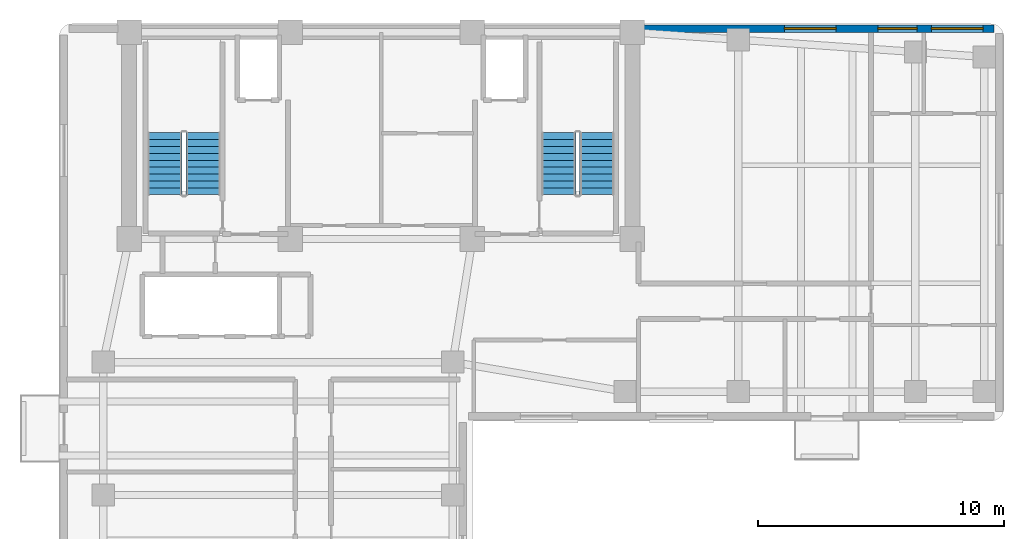
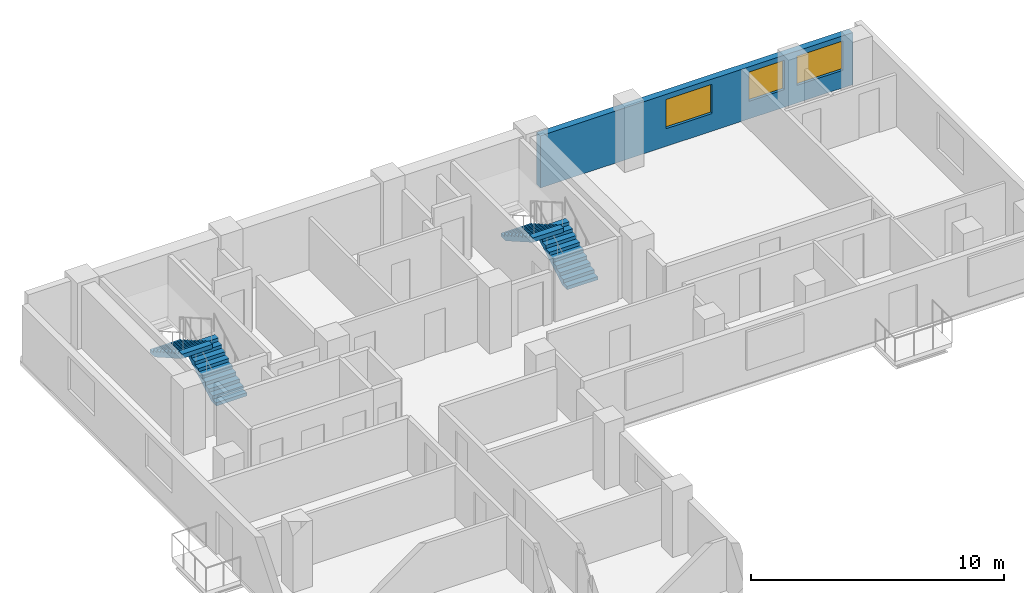
# One storey, part 5 of 7: 4 stair flights, 3 windows, 1 wall, 3 openings, 2 elements without a shape of their own.
"""IFC4 building model written with IfcOpenShell, lengths in metres."""

from ifc_helpers import new_model, si_unit, direction, frame, frame_2d, origin, place, context, subcontext, project, spatial, polyline, rectangle, outline, extrude, material, layer, layer_set, type_object, element, fill, aggregate, save


model = new_model("IFC4")

# Units and contexts
model_context = context("Model", 3, precision=1e-05, world=origin(), true_north=direction((0.0, 1.0)))
body_context = subcontext(model_context, "Body", "Model", "MODEL_VIEW")
ifc_project = project(units=[si_unit("LENGTHUNIT", "METRE"), si_unit("AREAUNIT", "SQUARE_METRE"), si_unit("VOLUMEUNIT", "CUBIC_METRE"), si_unit("PLANEANGLEUNIT", "RADIAN"), si_unit("MASSUNIT", "GRAM", prefix="KILO")], contexts=[model_context])

# Site, building, storey
site_placement = place(None, origin())
site = spatial("IfcSite", under=ifc_project, at=site_placement, CompositionType="ELEMENT")
building_placement = place(site_placement, origin())
building = spatial("IfcBuilding", under=site, at=building_placement, Name="Kuzgunbayir Cultural Tower", CompositionType="ELEMENT")
storey_placement = place(building_placement, frame((0.0, 0.0, 188.800048828125)))
storey = spatial("IfcBuildingStorey", under=building, at=storey_placement, Name="L55", CompositionType="ELEMENT", Elevation=188.800048828125)

# Wall, openings, windows
ifc_material_1 = material(Name="Anatolian Cream Limestone", Category="masonry")
ifc_layer = layer(ifc_material_1, 0.300048828125)
ifc_layer_set = layer_set([ifc_layer], Name="Anatolian Cream Limestone")
wall_type = type_object("IfcWallType", Name="WAL-EXT-STONE-300", PredefinedType="STANDARD", material=ifc_layer_set)
wall_placement = place(storey_placement, frame((41.60009765625, 42.35009765625, 0.0), z_axis=(0.0, 0.0, 1.0), x_axis=(-1.0, 0.0, 0.0)))
wall = element("IfcWall", 1, at=wall_placement, inside=storey, type_object=wall_type, Name="L55 North Wing B Limestone Wall", PredefinedType="STANDARD", context=body_context, shape_type="SweptSolid", body=[
    extrude(rectangle(XDim=14.25, YDim=0.300048828125, at=frame_2d((7.125, 0.0))), origin(), (0.0, 0.0, 1.0), 2.510009765625),
])
opening_1_placement = place(wall_placement, frame((3.1298828125, 0.0, 0.85009765625)))
opening_1 = element("IfcOpeningElement", 2, at=opening_1_placement, cuts=wall, Name="Opening WC-16", PredefinedType="OPENING", context=body_context, shape_type="SweptSolid", body=[
    extrude(rectangle(XDim=1.60009765625, YDim=1.409912109375, at=frame_2d((0.800048828125, 0.705078125))), frame((0.0, 0.16015625, 0.0), z_axis=(0.0, -1.0, 0.0), x_axis=(1.0, 0.0, 0.0)), (0.0, 0.0, 1.0), 0.320068359375),
])
opening_2_placement = place(wall_placement, frame((0.449951171875, 0.0, 0.85009765625)))
opening_2 = element("IfcOpeningElement", 3, at=opening_2_placement, cuts=wall, Name="Opening WR-21", PredefinedType="OPENING", context=body_context, shape_type="SweptSolid", body=[
    extrude(rectangle(XDim=2.10009765625, YDim=1.409912109375, at=frame_2d((1.050048828125, 0.705078125))), frame((0.0, 0.16015625, 0.0), z_axis=(0.0, -1.0, 0.0), x_axis=(1.0, 0.0, 0.0)), (0.0, 0.0, 1.0), 0.320068359375),
])
opening_3_placement = place(wall_placement, frame((6.419921875, 0.0, 0.85009765625)))
opening_3 = element("IfcOpeningElement", 4, at=opening_3_placement, cuts=wall, Name="Opening WR-21", PredefinedType="OPENING", context=body_context, shape_type="SweptSolid", body=[
    extrude(rectangle(XDim=2.10009765625, YDim=1.409912109375, at=frame_2d((1.050048828125, 0.705078125))), frame((0.0, 0.16015625, 0.0), z_axis=(0.0, -1.0, 0.0), x_axis=(1.0, 0.0, 0.0)), (0.0, 0.0, 1.0), 0.320068359375),
])
ifc_material_2 = material(Name="Solar-Control Triple Glazing", Category="glass")
window_type_1 = type_object("IfcWindowType", Name="WIN-COMP-16", PartitioningType="SINGLE_PANEL", PredefinedType="WINDOW", material=ifc_material_2)
window_1_placement = place(opening_1_placement, origin())
window_1 = element("IfcWindow", 5, at=window_1_placement, inside=storey, type_object=window_type_1, Name="L55 CRN Facade Window 7", OverallHeight=1.409912109375, OverallWidth=1.60009765625, PartitioningType="SINGLE_PANEL", PredefinedType="WINDOW", context=body_context, shape_type="SweptSolid", body=[
    extrude(rectangle(XDim=1.60009765625, YDim=1.409912109375, at=frame_2d((0.800048828125, 0.705078125))), frame((0.0, 0.030029296875, 0.0), z_axis=(0.0, -1.0, 0.0), x_axis=(1.0, 0.0, 0.0)), (0.0, 0.0, 1.0), 0.06005859375),
])
fill(opening_1, window_1)
window_type_2 = type_object("IfcWindowType", Name="WIN-RESID-21", PartitioningType="SINGLE_PANEL", PredefinedType="WINDOW", material=ifc_material_2)
window_2_placement = place(opening_2_placement, origin())
window_2 = element("IfcWindow", 6, at=window_2_placement, inside=storey, type_object=window_type_2, Name="L55 CRN Facade Window 8", OverallHeight=1.409912109375, OverallWidth=2.10009765625, PartitioningType="SINGLE_PANEL", PredefinedType="WINDOW", context=body_context, shape_type="SweptSolid", body=[
    extrude(rectangle(XDim=2.10009765625, YDim=1.409912109375, at=frame_2d((1.050048828125, 0.705078125))), frame((0.0, 0.030029296875, 0.0), z_axis=(0.0, -1.0, 0.0), x_axis=(1.0, 0.0, 0.0)), (0.0, 0.0, 1.0), 0.06005859375),
])
fill(opening_2, window_2)
window_3_placement = place(opening_3_placement, origin())
window_3 = element("IfcWindow", 7, at=window_3_placement, inside=storey, type_object=window_type_2, Name="L55 CRN Facade Window 9", OverallHeight=1.409912109375, OverallWidth=2.10009765625, PartitioningType="SINGLE_PANEL", PredefinedType="WINDOW", context=body_context, shape_type="SweptSolid", body=[
    extrude(rectangle(XDim=2.10009765625, YDim=1.409912109375, at=frame_2d((1.050048828125, 0.705078125))), frame((0.0, 0.030029296875, 0.0), z_axis=(0.0, -1.0, 0.0), x_axis=(1.0, 0.0, 0.0)), (0.0, 0.0, 1.0), 0.06005859375),
])
fill(opening_3, window_3)

# Stair, stair flights
ifc_material_3 = material(Name="Concrete C40/50", Category="concrete")
stair_type = type_object("IfcStairType", Name="STR-EXIT-CORE", PredefinedType="HALF_TURN_STAIR", material=ifc_material_3)
stair_1_placement = place(storey_placement, origin())
stair_1 = element("IfcStair", 8, at=stair_1_placement, inside=storey, type_object=stair_type, Name="L55 ST-1", PredefinedType="HALF_TURN_STAIR")
stair_flight_type = type_object("IfcStairFlightType", Name="STRF-RC-140", PredefinedType="STRAIGHT", material=ifc_material_3)
stair_flight_1_placement = place(storey_placement, frame((9.4599609375, 35.60009765625, 0.0), z_axis=(0.0, 0.0, 1.0), x_axis=(0.0, 1.0, 0.0)))
stair_flight_1 = element("IfcStairFlight", 9, at=stair_flight_1_placement, type_object=stair_flight_type, Name="ST-1 flight 1", NumberOfRisers=10, NumberOfTreads=9, PredefinedType="STRAIGHT", RiserHeight=0.16, TreadLength=0.28, context=body_context, shape_type="SweptSolid", body=[
    extrude(outline(polyline([(0.0, 0.0), (0.0, 0.159912109375), (0.280029296875, 0.159912109375), (0.280029296875, 0.320068359375), (0.56005859375, 0.320068359375), (0.56005859375, 0.47998046875), (0.840087890625, 0.47998046875), (0.840087890625, 0.639892578125), (1.1201171875, 0.639892578125), (1.1201171875, 0.800048828125), (1.39990234375, 0.800048828125), (1.39990234375, 0.9599609375), (1.679931640625, 0.9599609375), (1.679931640625, 1.1201171875), (1.9599609375, 1.1201171875), (1.9599609375, 1.280029296875), (2.239990234375, 1.280029296875), (2.239990234375, 1.43994140625), (2.52001953125, 1.43994140625), (2.52001953125, 1.60009765625), (2.52001953125, 1.232666015625), (0.362548828125, 0.0), (0.0, 0.0)])), frame((0.0, 0.699951171875, 0.0), z_axis=(0.0, -1.0, 0.0), x_axis=(1.0, 0.0, 0.0)), (0.0, 0.0, 1.0), 1.39990234375),
])
stair_flight_2_placement = place(storey_placement, frame((7.89990234375, 38.1201171875, 1.599853515625), z_axis=(0.0, 0.0, 1.0), x_axis=(0.0, -1.0, 0.0)))
stair_flight_2 = element("IfcStairFlight", 10, at=stair_flight_2_placement, type_object=stair_flight_type, Name="ST-1 flight 2", NumberOfRisers=10, NumberOfTreads=9, PredefinedType="STRAIGHT", RiserHeight=0.16, TreadLength=0.28, context=body_context, shape_type="SweptSolid", body=[
    extrude(outline(polyline([(0.0, 0.0), (0.0, 0.159912109375), (0.280029296875, 0.159912109375), (0.280029296875, 0.320068359375), (0.56005859375, 0.320068359375), (0.56005859375, 0.47998046875), (0.840087890625, 0.47998046875), (0.840087890625, 0.639892578125), (1.1201171875, 0.639892578125), (1.1201171875, 0.800048828125), (1.39990234375, 0.800048828125), (1.39990234375, 0.9599609375), (1.679931640625, 0.9599609375), (1.679931640625, 1.1201171875), (1.9599609375, 1.1201171875), (1.9599609375, 1.280029296875), (2.239990234375, 1.280029296875), (2.239990234375, 1.43994140625), (2.52001953125, 1.43994140625), (2.52001953125, 1.60009765625), (2.52001953125, 1.232666015625), (0.362548828125, 0.0), (0.0, 0.0)])), frame((0.0, 0.699951171875, 0.0), z_axis=(0.0, -1.0, 0.0), x_axis=(1.0, 0.0, 0.0)), (0.0, 0.0, 1.0), 1.39990234375),
])
aggregate(stair_1, [stair_flight_1, stair_flight_2])

stair_2_placement = place(storey_placement, origin())
stair_2 = element("IfcStair", 11, at=stair_2_placement, inside=storey, type_object=stair_type, Name="L55 ST-2", PredefinedType="HALF_TURN_STAIR")
stair_flight_3_placement = place(storey_placement, frame((25.4599609375, 35.60009765625, 0.0), z_axis=(0.0, 0.0, 1.0), x_axis=(0.0, 1.0, 0.0)))
stair_flight_3 = element("IfcStairFlight", 12, at=stair_flight_3_placement, type_object=stair_flight_type, Name="ST-2 flight 1", NumberOfRisers=10, NumberOfTreads=9, PredefinedType="STRAIGHT", RiserHeight=0.16, TreadLength=0.28, context=body_context, shape_type="SweptSolid", body=[
    extrude(outline(polyline([(0.0, 0.0), (0.0, 0.159912109375), (0.280029296875, 0.159912109375), (0.280029296875, 0.320068359375), (0.56005859375, 0.320068359375), (0.56005859375, 0.47998046875), (0.840087890625, 0.47998046875), (0.840087890625, 0.639892578125), (1.1201171875, 0.639892578125), (1.1201171875, 0.800048828125), (1.39990234375, 0.800048828125), (1.39990234375, 0.9599609375), (1.679931640625, 0.9599609375), (1.679931640625, 1.1201171875), (1.9599609375, 1.1201171875), (1.9599609375, 1.280029296875), (2.239990234375, 1.280029296875), (2.239990234375, 1.43994140625), (2.52001953125, 1.43994140625), (2.52001953125, 1.60009765625), (2.52001953125, 1.232666015625), (0.362548828125, 0.0), (0.0, 0.0)])), frame((0.0, 0.699951171875, 0.0), z_axis=(0.0, -1.0, 0.0), x_axis=(1.0, 0.0, 0.0)), (0.0, 0.0, 1.0), 1.39990234375),
])
stair_flight_4_placement = place(storey_placement, frame((23.89990234375, 38.1201171875, 1.599853515625), z_axis=(0.0, 0.0, 1.0), x_axis=(0.0, -1.0, 0.0)))
stair_flight_4 = element("IfcStairFlight", 13, at=stair_flight_4_placement, type_object=stair_flight_type, Name="ST-2 flight 2", NumberOfRisers=10, NumberOfTreads=9, PredefinedType="STRAIGHT", RiserHeight=0.16, TreadLength=0.28, context=body_context, shape_type="SweptSolid", body=[
    extrude(outline(polyline([(0.0, 0.0), (0.0, 0.159912109375), (0.280029296875, 0.159912109375), (0.280029296875, 0.320068359375), (0.56005859375, 0.320068359375), (0.56005859375, 0.47998046875), (0.840087890625, 0.47998046875), (0.840087890625, 0.639892578125), (1.1201171875, 0.639892578125), (1.1201171875, 0.800048828125), (1.39990234375, 0.800048828125), (1.39990234375, 0.9599609375), (1.679931640625, 0.9599609375), (1.679931640625, 1.1201171875), (1.9599609375, 1.1201171875), (1.9599609375, 1.280029296875), (2.239990234375, 1.280029296875), (2.239990234375, 1.43994140625), (2.52001953125, 1.43994140625), (2.52001953125, 1.60009765625), (2.52001953125, 1.232666015625), (0.362548828125, 0.0), (0.0, 0.0)])), frame((0.0, 0.699951171875, 0.0), z_axis=(0.0, -1.0, 0.0), x_axis=(1.0, 0.0, 0.0)), (0.0, 0.0, 1.0), 1.39990234375),
])
aggregate(stair_2, [stair_flight_3, stair_flight_4])

save(model, "model.ifc")
